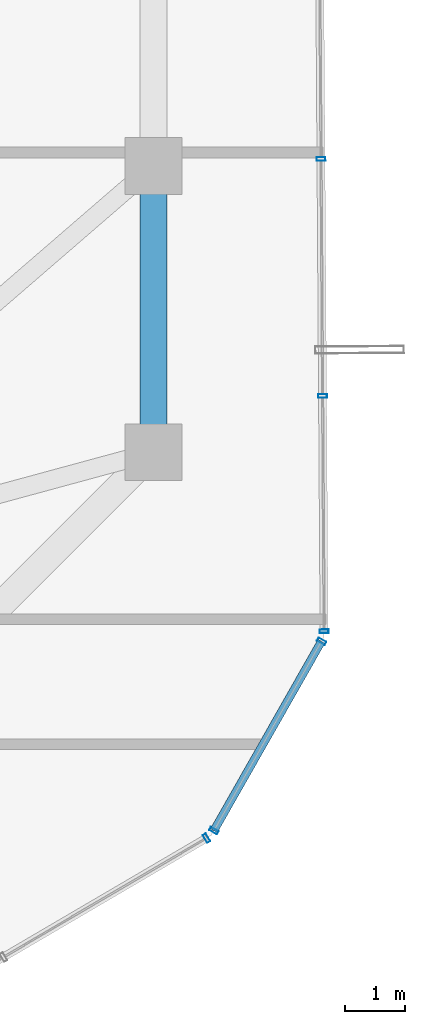
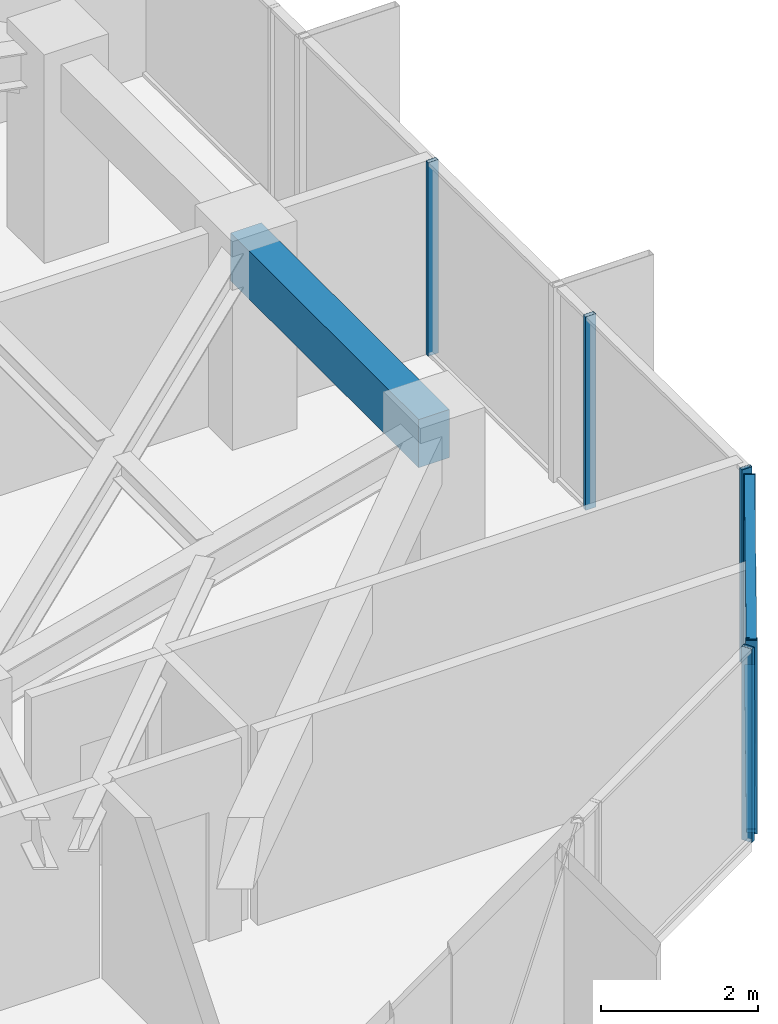
# One storey, part 17 of 31: 8 members, 1 beam, 3 elements without a shape of their own.
"""IFC4 building model written with IfcOpenShell, lengths in metres."""

from ifc_helpers import new_model, si_unit, direction, frame, origin, origin_2d, place, context, subcontext, project, spatial, rectangle, hollow_rectangle, extrude, source, transform, mapped, material, layer, layer_set, material_profile, profile_set, type_object, element, aggregate, save


model = new_model("IFC4")

# Units and contexts
model_context = context("Model", 3, precision=1e-05, world=origin(), true_north=direction((0.0, 1.0)))
body_context = subcontext(model_context, "Body", "Model", "MODEL_VIEW")
ifc_project = project(units=[si_unit("LENGTHUNIT", "METRE"), si_unit("AREAUNIT", "SQUARE_METRE"), si_unit("VOLUMEUNIT", "CUBIC_METRE"), si_unit("PLANEANGLEUNIT", "RADIAN"), si_unit("MASSUNIT", "GRAM", prefix="KILO")], contexts=[model_context])

# Site, building, storey
site_placement = place(None, origin())
site = spatial("IfcSite", under=ifc_project, at=site_placement, CompositionType="ELEMENT")
building_placement = place(site_placement, origin())
building = spatial("IfcBuilding", under=site, at=building_placement, Name="Veraguas Prism Commons", CompositionType="ELEMENT")
storey_placement = place(building_placement, frame((0.0, 0.0, 204.85009765625)))
storey = spatial("IfcBuildingStorey", under=building, at=storey_placement, Name="L58", CompositionType="ELEMENT", Elevation=204.85009765625)

# Beam
ifc_material_1 = material(Name="Concrete C50/60", Category="concrete")
ifc_material_profile_1 = material_profile(ifc_material_1, rectangle(XDim=0.449951171875, YDim=0.75, at=origin_2d()), Name="RC450X750")
ifc_profile_set_1 = profile_set([ifc_material_profile_1], Name="Concrete C50/60")
beam_type = type_object("IfcBeamType", Name="Perimeter Spandrel Upper RC 450x750", PredefinedType="SPANDREL", material=ifc_profile_set_1)
beam_placement = place(storey_placement, frame((38.89990234375, 19.199951171875, 2.639892578125), z_axis=(0.0, 1.0, 0.0), x_axis=(-1.0, 0.0, 0.0)))
element("IfcBeam", 1, at=beam_placement, inside=storey, type_object=beam_type, Name="Perimeter Spandrel Beam L58-SP01", PredefinedType="SPANDREL", context=body_context, shape_type="SweptSolid", body=[
    extrude(rectangle(XDim=0.449951171875, YDim=0.75, at=origin_2d()), origin(), (0.0, 0.0, 1.0), 4.800048828125),
])

# Curtain wall, member
ifc_material_2 = material(Name="Anodised aluminium EN AW-6063 T6", Category="aluminium")
ifc_layer = layer(ifc_material_2, 0.14990234375, Name="Unitised Flush Curtain Wall Zone 3", Category="aluminium")
ifc_layer_set = layer_set([ifc_layer], Name="Anodised aluminium EN AW-6063 T6")
curtain_wall_type = type_object("IfcCurtainWallType", Name="Unitised Flush Curtain Wall Zone 3", PredefinedType="NOTDEFINED", material=ifc_layer_set)
curtain_wall_1_placement = place(storey_placement, origin())
curtain_wall_1 = element("IfcCurtainWall", 2, at=curtain_wall_1_placement, inside=storey, type_object=curtain_wall_type, Name="Tower Facade Curtain Wall L58-F5", PredefinedType="NOTDEFINED")
ifc_material_profile_2 = material_profile(ifc_material_2, hollow_rectangle(XDim=0.06005859375, YDim=0.14990234375, WallThickness=0.0029296875, at=origin_2d()), Name="AL60X150X3")
ifc_profile_set_2 = profile_set([ifc_material_profile_2], Name="Anodised aluminium EN AW-6063 T6")
member_type_1 = type_object("IfcMemberType", Name="Curtain Wall Mullion Upper AL 60x150x3", PredefinedType="MULLION", material=ifc_profile_set_2)
shared_shape_1 = source(origin(), body_context, "Body", "SweptSolid", [
    extrude(hollow_rectangle(XDim=0.06005859375, YDim=0.14990234375, WallThickness=0.0029296875, at=origin_2d()), origin(), (0.0, 0.0, 1.0), 3.014892578125),
])
member_1_placement = place(storey_placement, frame((39.7900390625, 12.7275390625, 0.0), z_axis=(0.0, 0.0, 1.0), x_axis=(0.86268584238, 0.505740187604, 0.0)))
member_1 = element("IfcMember", 3, at=member_1_placement, type_object=member_type_1, Name="CW-Z3 Mullion 5", PredefinedType="MULLION", context=body_context, shape_type="MappedRepresentation", body=[
    mapped(shared_shape_1, transform((0.0, 0.0, 0.0), scale=1.0)),
])
aggregate(curtain_wall_1, [member_1])

# Curtain wall, members
curtain_wall_2_placement = place(storey_placement, origin())
curtain_wall_2 = element("IfcCurtainWall", 4, at=curtain_wall_2_placement, inside=storey, type_object=curtain_wall_type, Name="Tower Facade Curtain Wall L58-F6", PredefinedType="NOTDEFINED")
member_2_placement = place(storey_placement, frame((41.762451171875, 16.1962890625, 0.0), z_axis=(0.0, 0.0, 1.0), x_axis=(-0.006633947827, 0.999977995126, 0.0)))
member_2 = element("IfcMember", 5, at=member_2_placement, type_object=member_type_1, Name="CW-Z3 Mullion 1", PredefinedType="MULLION", context=body_context, shape_type="MappedRepresentation", body=[
    mapped(shared_shape_1, transform((0.0, 0.0, 0.0), scale=1.0)),
])
member_3_placement = place(storey_placement, frame((41.736328125, 20.141845703125, 0.0), z_axis=(0.0, 0.0, 1.0), x_axis=(-0.006633947827, 0.999977995126, 0.0)))
member_3 = element("IfcMember", 6, at=member_3_placement, type_object=member_type_1, Name="CW-Z3 Mullion 2", PredefinedType="MULLION", context=body_context, shape_type="MappedRepresentation", body=[
    mapped(shared_shape_1, transform((0.0, 0.0, 0.0), scale=1.0)),
])
member_4_placement = place(storey_placement, frame((41.7099609375, 24.117431640625, 0.0), z_axis=(0.0, 0.0, 1.0), x_axis=(-0.006633947827, 0.999977995126, 0.0)))
member_4 = element("IfcMember", 7, at=member_4_placement, type_object=member_type_1, Name="CW-Z3 Mullion 3", PredefinedType="MULLION", context=body_context, shape_type="MappedRepresentation", body=[
    mapped(shared_shape_1, transform((0.0, 0.0, 0.0), scale=1.0)),
])
aggregate(curtain_wall_2, [member_2, member_3, member_4])

curtain_wall_3_placement = place(storey_placement, origin())
curtain_wall_3 = element("IfcCurtainWall", 8, at=curtain_wall_3_placement, inside=storey, type_object=curtain_wall_type, Name="Chamfer Curtain Wall L58-C6", PredefinedType="NOTDEFINED")
member_5_placement = place(storey_placement, frame((39.912353515625, 12.851318359375, 0.0), z_axis=(0.0, 0.0, 1.0), x_axis=(0.494252933723, 0.869318145161, 0.0)))
member_5 = element("IfcMember", 9, at=member_5_placement, type_object=member_type_1, Name="CW-Z3 Mullion 1", PredefinedType="MULLION", context=body_context, shape_type="MappedRepresentation", body=[
    mapped(shared_shape_1, transform((0.0, 0.0, 0.0), scale=1.0)),
])
member_6_placement = place(storey_placement, frame((41.718505859375, 16.028076171875, 0.0), z_axis=(0.0, 0.0, 1.0), x_axis=(0.494252933723, 0.869318145161, 0.0)))
member_6 = element("IfcMember", 10, at=member_6_placement, type_object=member_type_1, Name="CW-Z3 Mullion 2", PredefinedType="MULLION", context=body_context, shape_type="MappedRepresentation", body=[
    mapped(shared_shape_1, transform((0.0, 0.0, 0.0), scale=1.0)),
])
ifc_material_profile_3 = material_profile(ifc_material_2, hollow_rectangle(XDim=0.054931640625, YDim=0.135009765625, WallThickness=0.0029296875, at=origin_2d()), Name="AL55X135X3")
ifc_profile_set_3 = profile_set([ifc_material_profile_3], Name="Anodised aluminium EN AW-6063 T6")
member_type_2 = type_object("IfcMemberType", Name="Curtain Wall Transom Standard AL 55x135x3", PredefinedType="USERDEFINED", material=ifc_profile_set_3)
shared_shape_2 = source(origin(), body_context, "Body", "SweptSolid", [
    extrude(hollow_rectangle(XDim=0.054931640625, YDim=0.135009765625, WallThickness=0.0029296875, at=origin_2d()), origin(), (0.0, 0.0, 1.0), 3.654296875),
])
member_7_placement = place(storey_placement, frame((39.912353515625, 12.851318359375, 0.02734375), z_axis=(0.494252728376, 0.869318261912, 0.0), x_axis=(0.0, 0.0, 1.0)))
member_7 = element("IfcMember", 11, at=member_7_placement, type_object=member_type_2, Name="CW-Z3 Transom 1", ObjectType="TRANSOM", PredefinedType="USERDEFINED", context=body_context, shape_type="MappedRepresentation", body=[
    mapped(shared_shape_2, transform((0.0, 0.0, 0.0), scale=1.0)),
])
member_8_placement = place(storey_placement, frame((39.912353515625, 12.851318359375, 2.9873046875), z_axis=(0.494252728376, 0.869318261912, 0.0), x_axis=(0.0, 0.0, 1.0)))
member_8 = element("IfcMember", 12, at=member_8_placement, type_object=member_type_2, Name="CW-Z3 Transom 2", ObjectType="TRANSOM", PredefinedType="USERDEFINED", context=body_context, shape_type="MappedRepresentation", body=[
    mapped(shared_shape_2, transform((0.0, 0.0, 0.0), scale=1.0)),
])
aggregate(curtain_wall_3, [member_5, member_6, member_7, member_8])

save(model, "model.ifc")
